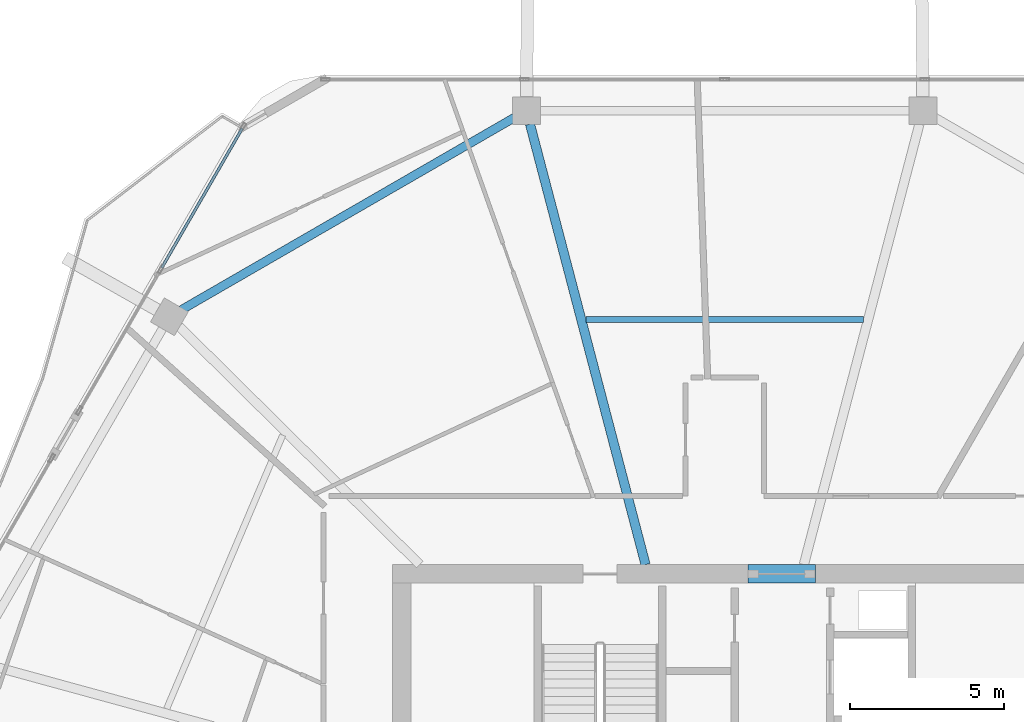
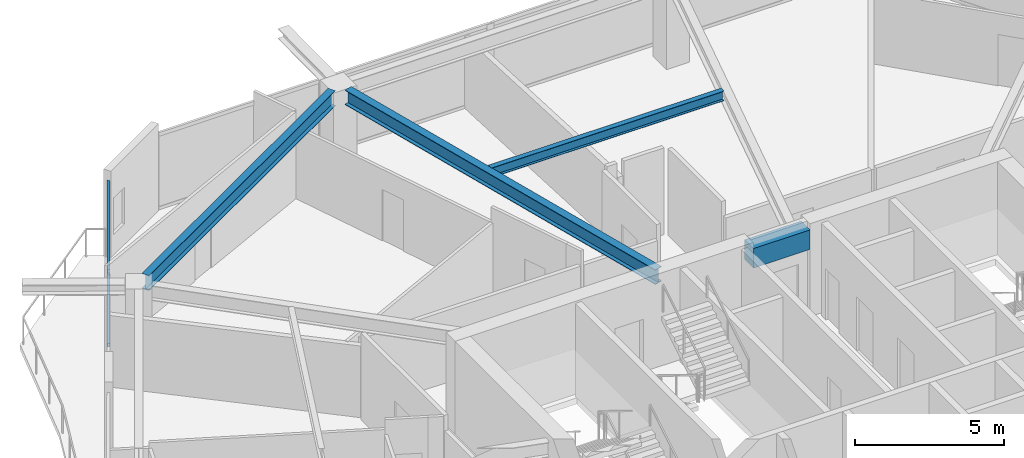
# One storey, part 12 of 25: 4 beams, 2 members, 1 element without a shape of its own.
"""IFC4 building model written with IfcOpenShell, lengths in metres."""

from ifc_helpers import new_model, si_unit, direction, frame, origin, origin_2d, place, context, subcontext, project, spatial, rectangle, hollow_rectangle, i_section, extrude, material, material_profile, profile_set, type_object, element, aggregate, save


model = new_model("IFC4")

# Units and contexts
model_context = context("Model", 3, precision=1e-05, world=origin(), true_north=direction((0.0, 1.0)))
body_context = subcontext(model_context, "Body", "Model", "MODEL_VIEW")
ifc_project = project(units=[si_unit("LENGTHUNIT", "METRE"), si_unit("AREAUNIT", "SQUARE_METRE"), si_unit("VOLUMEUNIT", "CUBIC_METRE"), si_unit("PLANEANGLEUNIT", "RADIAN"), si_unit("MASSUNIT", "GRAM", prefix="KILO")], contexts=[model_context])

# Site, building, storey
site_placement = place(None, origin())
site = spatial("IfcSite", under=ifc_project, at=site_placement, CompositionType="ELEMENT")
building_placement = place(site_placement, origin())
building = spatial("IfcBuilding", under=site, at=building_placement, Name="Zuhravey Tower", CompositionType="ELEMENT")
storey_placement = place(building_placement, frame((0.0, 0.0, 235.0)))
storey = spatial("IfcBuildingStorey", under=building, at=storey_placement, Name="L59", CompositionType="ELEMENT", Elevation=235.0)

# Beam
ifc_material_1 = material(Name="Concrete C50/60", Category="concrete")
ifc_material_profile_1 = material_profile(ifc_material_1, rectangle(XDim=0.60009765625, YDim=0.800048828125, at=origin_2d()), Name="RC-600x800")
ifc_profile_set_1 = profile_set([ifc_material_profile_1], Name="Concrete C50/60")
beam_type_1 = type_object("IfcBeamType", Name="Core Coupling Beam RC600x800", PredefinedType="LINTEL", material=ifc_profile_set_1)
beam_1_placement = place(storey_placement, frame((36.751953125, 41.5, 3.14990234375), z_axis=(1.0, 0.0, 0.0), x_axis=(0.0, 1.0, 0.0)))
element("IfcBeam", 1, at=beam_1_placement, inside=storey, type_object=beam_type_1, Name="L59 CB2 BM-L59-CB-N", PredefinedType="LINTEL", context=body_context, shape_type="SweptSolid", body=[
    extrude(rectangle(XDim=0.60009765625, YDim=0.800048828125, at=origin_2d()), origin(), (0.0, 0.0, 1.0), 2.196044921875),
])

# Curtain wall, members
ifc_material_2 = material(Name="Thermally broken anodised aluminium", Category="aluminium")
curtain_wall_type = type_object("IfcCurtainWallType", Name="Zone 3-4 High-Rise Curtain Wall CW4", PredefinedType="NOTDEFINED", material=ifc_material_2)
curtain_wall_placement = place(storey_placement, origin())
curtain_wall = element("IfcCurtainWall", 2, at=curtain_wall_placement, inside=storey, type_object=curtain_wall_type, Name="L59 CW4 CW-L59-F3-2", PredefinedType="NOTDEFINED")
ifc_material_3 = material(Name="Anodised aluminium", Category="aluminium")
ifc_material_profile_2 = material_profile(ifc_material_3, hollow_rectangle(XDim=0.090087890625, YDim=0.14990234375, WallThickness=0.0048828125, at=origin_2d()), Name="ALU-RHS-90x150x5")
ifc_profile_set_2 = profile_set([ifc_material_profile_2], Name="Anodised aluminium")
member_type = type_object("IfcMemberType", Name="Curtain-Wall Transom 90x150", PredefinedType="USERDEFINED", material=ifc_profile_set_2)
member_1_placement = place(storey_placement, frame((17.70947265625, 51.447021484375, 0.044921875), z_axis=(0.499982599758, 0.866035449586, 0.0), x_axis=(-0.866035449586, 0.499982599758, 0.0)))
member_1 = element("IfcMember", 3, at=member_1_placement, type_object=member_type, Name="CW4 transom 2.1", ObjectType="TRANSOM", PredefinedType="USERDEFINED", context=body_context, shape_type="SweptSolid", body=[
    extrude(hollow_rectangle(XDim=0.090087890625, YDim=0.14990234375, WallThickness=0.0048828125, at=origin_2d()), origin(), (0.0, 0.0, 1.0), 5.226318359375),
])
member_2_placement = place(storey_placement, frame((17.70947265625, 51.447021484375, 3.076904296875), z_axis=(0.499982599758, 0.866035449586, 0.0), x_axis=(-0.866035449586, 0.499982599758, 0.0)))
member_2 = element("IfcMember", 4, at=member_2_placement, type_object=member_type, Name="CW4 transom 2.2", ObjectType="TRANSOM", PredefinedType="USERDEFINED", context=body_context, shape_type="SweptSolid", body=[
    extrude(hollow_rectangle(XDim=0.090087890625, YDim=0.14990234375, WallThickness=0.0048828125, at=origin_2d()), origin(), (0.0, 0.0, 1.0), 5.226318359375),
])
aggregate(curtain_wall, [member_1, member_2])

# Beams
ifc_material_4 = material(Name="Steel SM355", Category="steel")
ifc_material_profile_3 = material_profile(ifc_material_4, i_section(OverallWidth=0.280029296875, OverallDepth=0.6201171875, WebThickness=0.011962890625, FlangeThickness=0.02001953125, at=origin_2d()), Name="H-620x280x12x20")
ifc_profile_set_3 = profile_set([ifc_material_profile_3], Name="Steel SM355")
beam_type_2 = type_object("IfcBeamType", Name="Perimeter Ring Beam H620x280", PredefinedType="BEAM", material=ifc_profile_set_3)
beam_2_placement = place(storey_placement, frame((29.166748046875, 56.3271484375, 3.239990234375), z_axis=(-0.866025131093, -0.500000472315, 0.0), x_axis=(0.500000472315, -0.866025131093, 0.0)))
element("IfcBeam", 5, at=beam_2_placement, inside=storey, type_object=beam_type_2, Name="L59 PB3 BM-L59-PB-04", PredefinedType="BEAM", context=body_context, shape_type="SweptSolid", body=[
    extrude(i_section(OverallWidth=0.280029296875, OverallDepth=0.6201171875, WebThickness=0.011962890625, FlangeThickness=0.02001953125, at=origin_2d()), origin(), (0.0, 0.0, 1.0), 12.49169921875),
])
ifc_material_profile_4 = material_profile(ifc_material_4, i_section(OverallWidth=0.300048828125, OverallDepth=0.60009765625, WebThickness=0.011962890625, FlangeThickness=0.02001953125, at=origin_2d()), Name="H-600x300x12x20")
ifc_profile_set_4 = profile_set([ifc_material_profile_4], Name="Steel SM355")
beam_type_3 = type_object("IfcBeamType", Name="Radial Primary Girder H600x300", PredefinedType="BEAM", material=ifc_profile_set_4)
beam_3_placement = place(storey_placement, frame((33.428466796875, 41.802978515625, 3.25), z_axis=(-0.253731415841, 0.967274712073, 0.0), x_axis=(-0.967274712073, -0.253731415841, 0.0)))
element("IfcBeam", 6, at=beam_3_placement, inside=storey, type_object=beam_type_3, Name="L59 RG3 BM-L59-RAD-04", PredefinedType="BEAM", context=body_context, shape_type="SweptSolid", body=[
    extrude(i_section(OverallWidth=0.300048828125, OverallDepth=0.60009765625, WebThickness=0.011962890625, FlangeThickness=0.02001953125, at=origin_2d()), origin(), (0.0, 0.0, 1.0), 14.796630859375),
])
ifc_material_profile_5 = material_profile(ifc_material_4, i_section(OverallWidth=0.199951171875, OverallDepth=0.39990234375, WebThickness=0.008056640625, FlangeThickness=0.012939453125, at=origin_2d()), Name="H-400x200x8x13")
ifc_profile_set_5 = profile_set([ifc_material_profile_5], Name="Steel SM355")
beam_type_4 = type_object("IfcBeamType", Name="Secondary Floor Joist H400x200", PredefinedType="JOIST", material=ifc_profile_set_5)
beam_4_placement = place(storey_placement, frame((40.507080078125, 49.768310546875, 3.35009765625), z_axis=(-1.0, 0.0, 0.0), x_axis=(0.0, -1.0, 0.0)))
element("IfcBeam", 7, at=beam_4_placement, inside=storey, type_object=beam_type_4, Name="L59 SJ2 BM-L59-SJ-03-1", PredefinedType="JOIST", context=body_context, shape_type="SweptSolid", body=[
    extrude(i_section(OverallWidth=0.199951171875, OverallDepth=0.39990234375, WebThickness=0.008056640625, FlangeThickness=0.012939453125, at=origin_2d()), origin(), (0.0, 0.0, 1.0), 9.01416015625),
])

save(model, "model.ifc")
